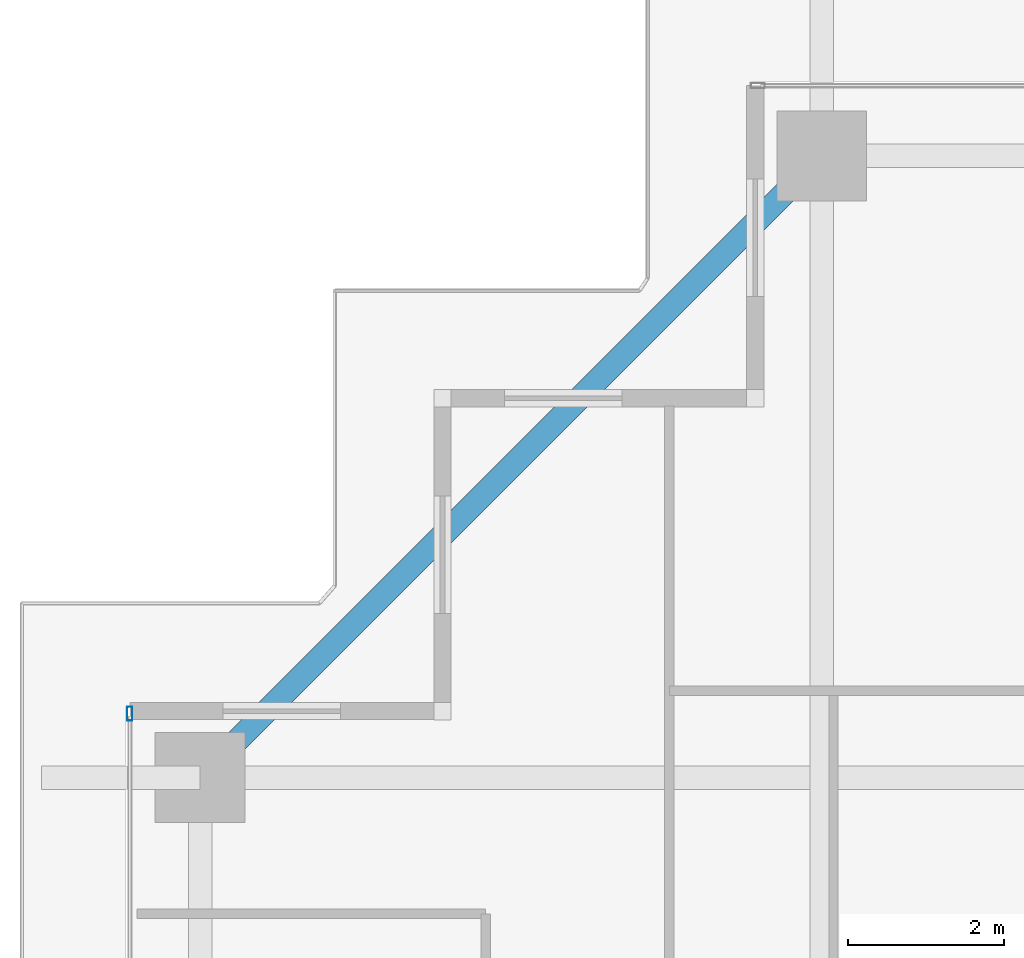
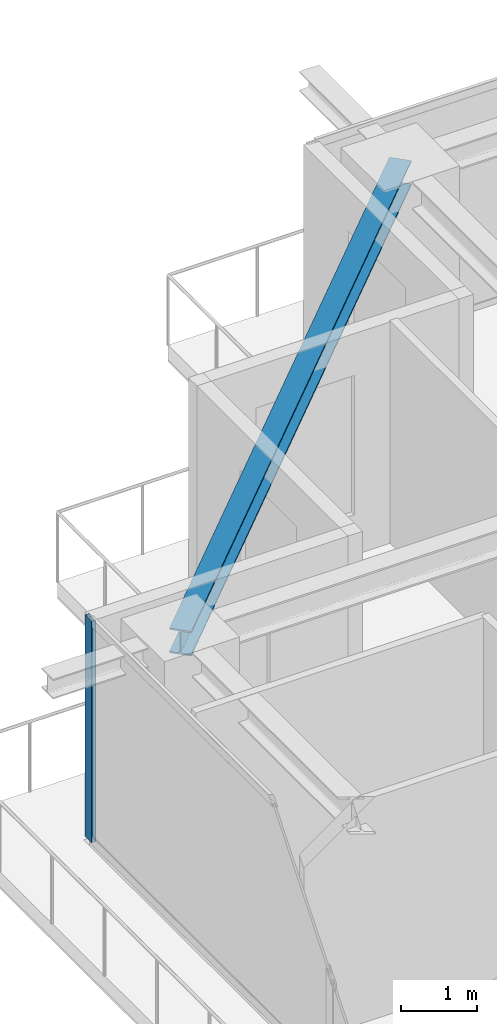
# One storey, part 18 of 38: 1 beam, 1 member, 1 element without a shape of its own.
"""IFC4 building model written with IfcOpenShell, lengths in metres."""

from ifc_helpers import new_model, si_unit, direction, frame, origin, origin_2d, place, context, subcontext, project, spatial, hollow_rectangle, i_section, extrude, source, transform, mapped, material, layer, layer_set, material_profile, profile_set, type_object, element, aggregate, save


model = new_model("IFC4")

# Units and contexts
model_context = context("Model", 3, precision=1e-05, world=origin(), true_north=direction((0.0, 1.0)))
body_context = subcontext(model_context, "Body", "Model", "MODEL_VIEW")
ifc_project = project(units=[si_unit("LENGTHUNIT", "METRE"), si_unit("AREAUNIT", "SQUARE_METRE"), si_unit("VOLUMEUNIT", "CUBIC_METRE"), si_unit("PLANEANGLEUNIT", "RADIAN"), si_unit("MASSUNIT", "GRAM", prefix="KILO")], contexts=[model_context])

# Site, building, storey
site_placement = place(None, origin())
site = spatial("IfcSite", under=ifc_project, at=site_placement, CompositionType="ELEMENT")
building_placement = place(site_placement, origin())
building = spatial("IfcBuilding", under=site, at=building_placement, Name="Serunith Strait Residences", CompositionType="ELEMENT")
storey_placement = place(building_placement, frame((0.0, 0.0, 229.699951171875)))
storey = spatial("IfcBuildingStorey", under=building, at=storey_placement, Name="L57", CompositionType="ELEMENT", Elevation=229.699951171875)

# Beam
ifc_material_1 = material(Name="Steel S355J2", Category="steel")
ifc_material_profile_1 = material_profile(ifc_material_1, i_section(OverallWidth=0.300048828125, OverallDepth=0.39990234375, WebThickness=0.013427734375, FlangeThickness=0.02392578125, FilletRadius=0.027099609375, at=origin_2d()), Name="HEB 400")
ifc_profile_set_1 = profile_set([ifc_material_profile_1], Name="Steel S355J2")
beam_type = type_object("IfcBeamType", Name="BM-HEB400", PredefinedType="BEAM", material=ifc_profile_set_1)
shared_shape_1 = source(origin(), body_context, "Body", "SweptSolid", [
    extrude(i_section(OverallWidth=0.300048828125, OverallDepth=0.39990234375, WebThickness=0.013427734375, FlangeThickness=0.02392578125, FilletRadius=0.027099609375, at=origin_2d()), origin(), (0.0, 0.0, 1.0), 11.242919921875),
])
beam_placement = place(storey_placement, frame((16.25, 48.300048828125, 3.35693359375), z_axis=(-0.707106781187, -0.707106781187, 0.0), x_axis=(0.707106781187, -0.707106781187, 0.0)))
element("IfcBeam", 1, at=beam_placement, inside=storey, type_object=beam_type, Name="L57 Perimeter Ring Beam 12", PredefinedType="BEAM", context=body_context, shape_type="MappedRepresentation", body=[
    mapped(shared_shape_1, transform((0.0, 0.0, 0.0), scale=1.0)),
])

# Curtain wall, member
ifc_material_2 = material(Name="Pale-Champagne Anodised Aluminium", Category="aluminium")
ifc_layer = layer(ifc_material_2, 0.199951171875, Name="Pale-Champagne Anodised Aluminium")
ifc_layer_set = layer_set([ifc_layer], Name="Pale-Champagne Anodised Aluminium")
curtain_wall_type = type_object("IfcCurtainWallType", Name="CW-SYS4", PredefinedType="NOTDEFINED", material=ifc_layer_set)
curtain_wall_placement = place(storey_placement, origin())
curtain_wall = element("IfcCurtainWall", 2, at=curtain_wall_placement, inside=storey, type_object=curtain_wall_type, Name="L57 W Unitised Fritted Curtain Wall", PredefinedType="NOTDEFINED")
ifc_material_profile_2 = material_profile(ifc_material_2, hollow_rectangle(XDim=0.06494140625, YDim=0.179931640625, WallThickness=0.00341796875, InnerFilletRadius=0.00537109375, OuterFilletRadius=0.0087890625, at=origin_2d()), Name="ALU 180x65x3.5")
ifc_profile_set_2 = profile_set([ifc_material_profile_2], Name="Pale-Champagne Anodised Aluminium")
member_type = type_object("IfcMemberType", Name="CW-SYS4-MULL", PredefinedType="MULLION", material=ifc_profile_set_2)
shared_shape_2 = source(origin(), body_context, "Body", "SweptSolid", [
    extrude(hollow_rectangle(XDim=0.06494140625, YDim=0.179931640625, WallThickness=0.00341796875, InnerFilletRadius=0.00537109375, OuterFilletRadius=0.0087890625, at=origin_2d()), origin(), (0.0, 0.0, 1.0), 3.574951171875),
])
member_placement = place(storey_placement, frame((7.39990234375, 41.16748046875, 0.0), z_axis=(0.0, 0.0, 1.0), x_axis=(1.0, 0.0, 0.0)))
member = element("IfcMember", 3, at=member_placement, type_object=member_type, Name="CW-4 mullion 1", PredefinedType="MULLION", context=body_context, shape_type="MappedRepresentation", body=[
    mapped(shared_shape_2, transform((0.0, 0.0, 0.0), scale=1.0)),
])
aggregate(curtain_wall, [member])

save(model, "model.ifc")
